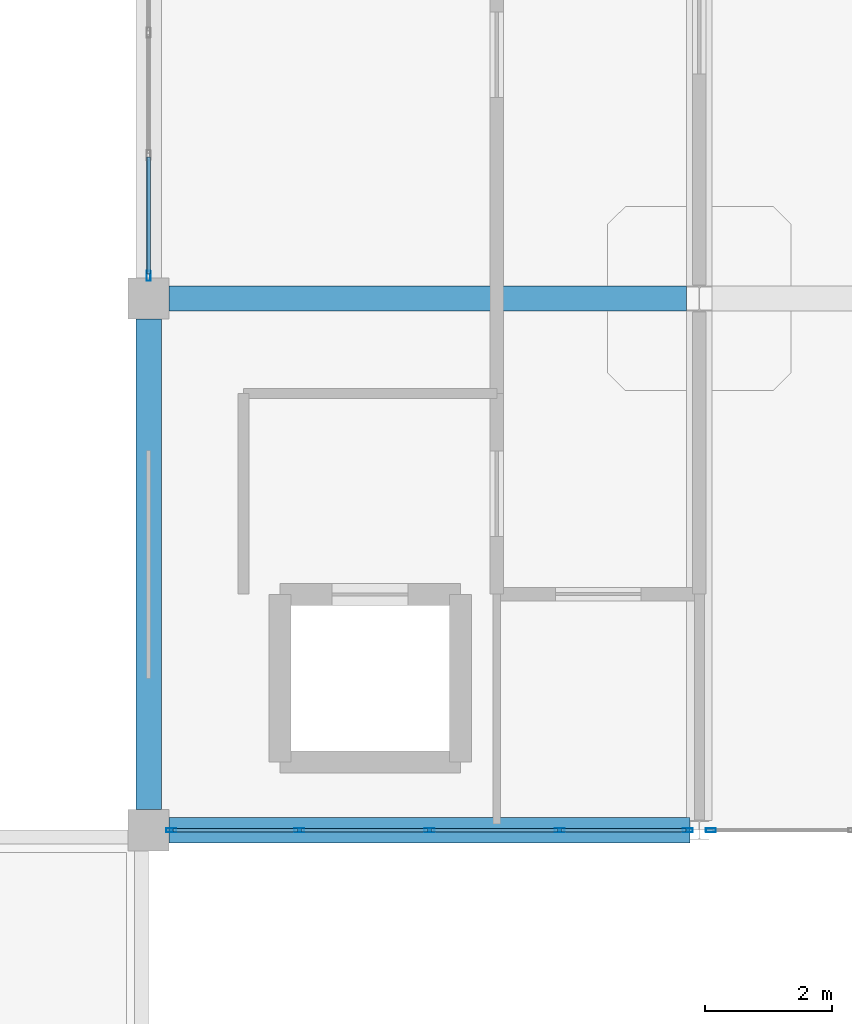
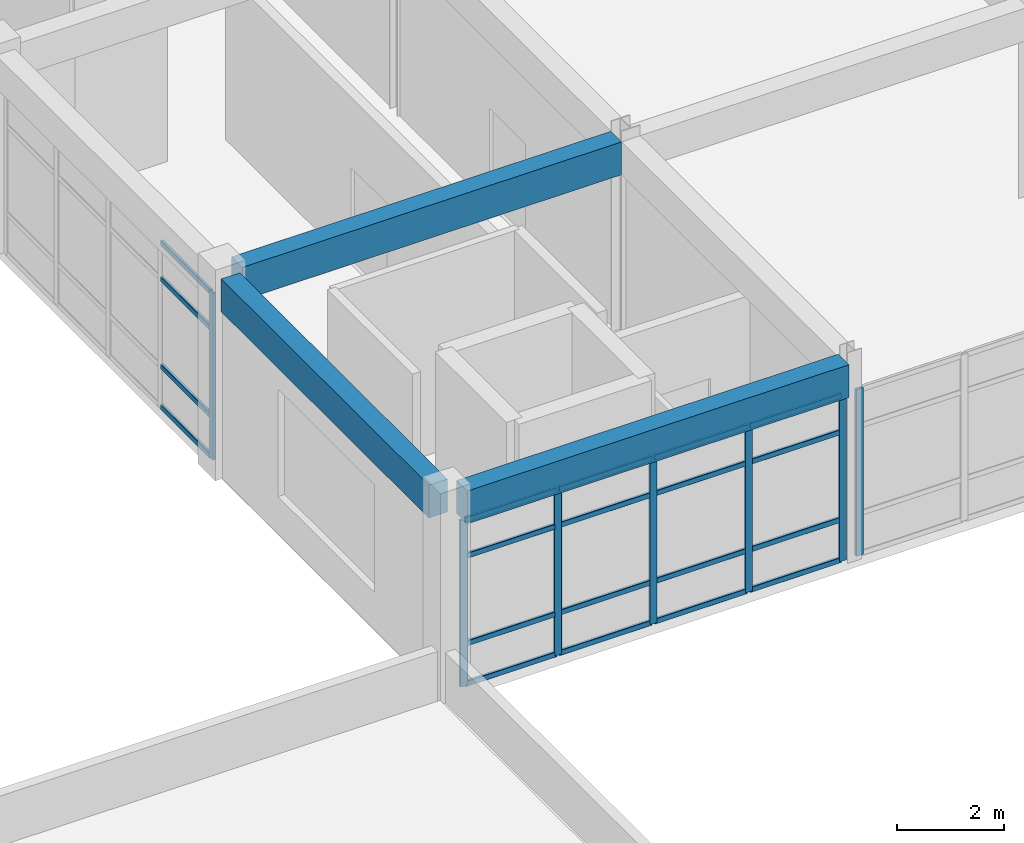
# One storey, part 22 of 41: 27 members, 3 beams, 3 elements without a shape of their own.
"""IFC4 building model written with IfcOpenShell, lengths in metres."""

from ifc_helpers import new_model, si_unit, derived_unit, direction, frame, origin, origin_2d, place, context, subcontext, project, spatial, rectangle, hollow_rectangle, extrude, material, layer, layer_set, material_profile, profile_set, type_object, element, aggregate, save


model = new_model("IFC4")

# Units and contexts
model_context = context("Model", 3, precision=1e-05, world=origin(), true_north=direction((0.0, 1.0)))
body_context = subcontext(model_context, "Body", "Model", "MODEL_VIEW")
ifc_project = project(units=[si_unit("LENGTHUNIT", "METRE"), si_unit("AREAUNIT", "SQUARE_METRE"), si_unit("VOLUMEUNIT", "CUBIC_METRE"), si_unit("PLANEANGLEUNIT", "RADIAN"), si_unit("MASSUNIT", "GRAM", prefix="KILO"), derived_unit("THERMALTRANSMITTANCEUNIT", [(si_unit("MASSUNIT", "GRAM", prefix="KILO"), 1), (si_unit("TIMEUNIT", "SECOND"), -3), (si_unit("THERMODYNAMICTEMPERATUREUNIT", "KELVIN"), -1)])], contexts=[model_context])

# Site, building, storey
site_placement = place(None, origin())
site = spatial("IfcSite", under=ifc_project, at=site_placement, CompositionType="ELEMENT")
building_placement = place(site_placement, origin())
building = spatial("IfcBuilding", under=site, at=building_placement, Name="Qinzheling Arcade Emporium", CompositionType="ELEMENT")
storey_placement = place(building_placement, frame((0.0, 0.0, 36.300048828125)))
storey = spatial("IfcBuildingStorey", under=building, at=storey_placement, Name="L08", CompositionType="ELEMENT", Elevation=36.300048828125)

# Curtain wall, member
ifc_material_1 = material(Name="Anodised aluminium and solar-control double glazing", Category="aluminium")
ifc_layer = layer(ifc_material_1, 0.159912109375, Name="Anodised aluminium and solar-control double glazing", Category="aluminium")
ifc_layer_set = layer_set([ifc_layer], Name="Anodised aluminium and solar-control double glazing")
curtain_wall_type = type_object("IfcCurtainWallType", Name="Arcade Portal Glazed Curtain Wall", PredefinedType="NOTDEFINED", material=ifc_layer_set)
curtain_wall_1_placement = place(storey_placement, origin())
curtain_wall_1 = element("IfcCurtainWall", 1, at=curtain_wall_1_placement, inside=storey, type_object=curtain_wall_type, Name="Curtain Wall CW-L08-444", PredefinedType="NOTDEFINED")
ifc_material_2 = material(Name="Anodised aluminium 6063-T6", Category="aluminium")
ifc_material_profile_1 = material_profile(ifc_material_2, hollow_rectangle(XDim=0.06005859375, YDim=0.159912109375, WallThickness=0.00390625, InnerFilletRadius=0.00390625, OuterFilletRadius=0.008056640625, at=origin_2d()), Name="RHS 160x60x4", Category="aluminium")
ifc_profile_set_1 = profile_set([ifc_material_profile_1], Name="Anodised aluminium 6063-T6")
member_type_1 = type_object("IfcMemberType", Name="Curtain Wall Mullion RHS160x60", PredefinedType="MULLION", material=ifc_profile_set_1)
member_1_placement = place(storey_placement, frame((113.281982421875, 73.800048828125, 0.0), z_axis=(0.0, 0.0, 1.0), x_axis=(0.0, -1.0, 0.0)))
member_1 = element("IfcMember", 2, at=member_1_placement, type_object=member_type_1, Name="CW05 mullion 4", PredefinedType="MULLION", context=body_context, shape_type="SweptSolid", body=[
    extrude(hollow_rectangle(XDim=0.06005859375, YDim=0.159912109375, WallThickness=0.00390625, InnerFilletRadius=0.00390625, OuterFilletRadius=0.008056640625, at=origin_2d()), origin(), (0.0, 0.0, 1.0), 3.794921875),
])
aggregate(curtain_wall_1, [member_1])

# Curtain wall, members
curtain_wall_2_placement = place(storey_placement, origin())
curtain_wall_2 = element("IfcCurtainWall", 3, at=curtain_wall_2_placement, inside=storey, type_object=curtain_wall_type, Name="Curtain Wall CW-L08-445", PredefinedType="NOTDEFINED")
member_2_placement = place(storey_placement, frame((112.91796875, 73.800048828125, 0.0), z_axis=(0.0, 0.0, 1.0), x_axis=(0.0, -1.0, 0.0)))
member_2 = element("IfcMember", 4, at=member_2_placement, type_object=member_type_1, Name="CW05 mullion 1", PredefinedType="MULLION", context=body_context, shape_type="SweptSolid", body=[
    extrude(hollow_rectangle(XDim=0.06005859375, YDim=0.159912109375, WallThickness=0.00390625, InnerFilletRadius=0.00390625, OuterFilletRadius=0.008056640625, at=origin_2d()), origin(), (0.0, 0.0, 1.0), 3.794921875),
])
member_3_placement = place(storey_placement, frame((110.892822265625, 73.800048828125, 0.0), z_axis=(0.0, 0.0, 1.0), x_axis=(0.0, -1.0, 0.0)))
member_3 = element("IfcMember", 5, at=member_3_placement, type_object=member_type_1, Name="CW05 mullion 2", PredefinedType="MULLION", context=body_context, shape_type="SweptSolid", body=[
    extrude(hollow_rectangle(XDim=0.06005859375, YDim=0.159912109375, WallThickness=0.00390625, InnerFilletRadius=0.00390625, OuterFilletRadius=0.008056640625, at=origin_2d()), origin(), (0.0, 0.0, 1.0), 3.794921875),
])
member_4_placement = place(storey_placement, frame((108.83740234375, 73.800048828125, 0.0), z_axis=(0.0, 0.0, 1.0), x_axis=(0.0, -1.0, 0.0)))
member_4 = element("IfcMember", 6, at=member_4_placement, type_object=member_type_1, Name="CW05 mullion 3", PredefinedType="MULLION", context=body_context, shape_type="SweptSolid", body=[
    extrude(hollow_rectangle(XDim=0.06005859375, YDim=0.159912109375, WallThickness=0.00390625, InnerFilletRadius=0.00390625, OuterFilletRadius=0.008056640625, at=origin_2d()), origin(), (0.0, 0.0, 1.0), 3.794921875),
])
member_5_placement = place(storey_placement, frame((106.7822265625, 73.800048828125, 0.0), z_axis=(0.0, 0.0, 1.0), x_axis=(0.0, -1.0, 0.0)))
member_5 = element("IfcMember", 7, at=member_5_placement, type_object=member_type_1, Name="CW05 mullion 4", PredefinedType="MULLION", context=body_context, shape_type="SweptSolid", body=[
    extrude(hollow_rectangle(XDim=0.06005859375, YDim=0.159912109375, WallThickness=0.00390625, InnerFilletRadius=0.00390625, OuterFilletRadius=0.008056640625, at=origin_2d()), origin(), (0.0, 0.0, 1.0), 3.794921875),
])
member_6_placement = place(storey_placement, frame((104.757080078125, 73.800048828125, 0.0), z_axis=(0.0, 0.0, 1.0), x_axis=(0.0, -1.0, 0.0)))
member_6 = element("IfcMember", 8, at=member_6_placement, type_object=member_type_1, Name="CW05 mullion 5", PredefinedType="MULLION", context=body_context, shape_type="SweptSolid", body=[
    extrude(hollow_rectangle(XDim=0.06005859375, YDim=0.159912109375, WallThickness=0.00390625, InnerFilletRadius=0.00390625, OuterFilletRadius=0.008056640625, at=origin_2d()), origin(), (0.0, 0.0, 1.0), 3.794921875),
])

# Curtain wall, member
curtain_wall_3_placement = place(storey_placement, origin())
curtain_wall_3 = element("IfcCurtainWall", 9, at=curtain_wall_3_placement, inside=storey, type_object=curtain_wall_type, Name="Curtain Wall CW-L08-446", PredefinedType="NOTDEFINED")
member_7_placement = place(storey_placement, frame((104.39990234375, 82.556884765625, 0.0), z_axis=(0.0, 0.0, 1.0), x_axis=(-1.0, 0.0, 0.0)))
member_7 = element("IfcMember", 10, at=member_7_placement, type_object=member_type_1, Name="CW05 mullion 1", PredefinedType="MULLION", context=body_context, shape_type="SweptSolid", body=[
    extrude(hollow_rectangle(XDim=0.06005859375, YDim=0.159912109375, WallThickness=0.00390625, InnerFilletRadius=0.00390625, OuterFilletRadius=0.008056640625, at=origin_2d()), origin(), (0.0, 0.0, 1.0), 3.794921875),
])

# Member
ifc_material_profile_2 = material_profile(ifc_material_2, hollow_rectangle(XDim=0.06005859375, YDim=0.1201171875, WallThickness=0.00390625, InnerFilletRadius=0.00390625, OuterFilletRadius=0.008056640625, at=origin_2d()), Name="RHS 120x60x4", Category="aluminium")
ifc_profile_set_2 = profile_set([ifc_material_profile_2], Name="Anodised aluminium 6063-T6")
member_type_2 = type_object("IfcMemberType", Name="Curtain Wall Transom RHS120x60", PredefinedType="USERDEFINED", material=ifc_profile_set_2)
member_8_placement = place(storey_placement, frame((112.887939453125, 73.800048828125, 0.030029296875), z_axis=(-1.0, 0.0, 0.0), x_axis=(0.0, -1.0, 0.0)))
member_8 = element("IfcMember", 11, at=member_8_placement, type_object=member_type_2, Name="CW05 transom 1.1", ObjectType="TRANSOM", PredefinedType="USERDEFINED", context=body_context, shape_type="SweptSolid", body=[
    extrude(hollow_rectangle(XDim=0.06005859375, YDim=0.1201171875, WallThickness=0.00390625, InnerFilletRadius=0.00390625, OuterFilletRadius=0.008056640625, at=origin_2d()), origin(), (0.0, 0.0, 1.0), 1.965087890625),
])

member_9_placement = place(storey_placement, frame((112.887939453125, 73.800048828125, 0.949951171875), z_axis=(-1.0, 0.0, 0.0), x_axis=(0.0, -1.0, 0.0)))
member_9 = element("IfcMember", 12, at=member_9_placement, type_object=member_type_2, Name="CW05 transom 1.2", ObjectType="TRANSOM", PredefinedType="USERDEFINED", context=body_context, shape_type="SweptSolid", body=[
    extrude(hollow_rectangle(XDim=0.06005859375, YDim=0.1201171875, WallThickness=0.00390625, InnerFilletRadius=0.00390625, OuterFilletRadius=0.008056640625, at=origin_2d()), origin(), (0.0, 0.0, 1.0), 1.965087890625),
])

member_10_placement = place(storey_placement, frame((112.887939453125, 73.800048828125, 2.945068359375), z_axis=(-1.0, 0.0, 0.0), x_axis=(0.0, -1.0, 0.0)))
member_10 = element("IfcMember", 13, at=member_10_placement, type_object=member_type_2, Name="CW05 transom 1.3", ObjectType="TRANSOM", PredefinedType="USERDEFINED", context=body_context, shape_type="SweptSolid", body=[
    extrude(hollow_rectangle(XDim=0.06005859375, YDim=0.1201171875, WallThickness=0.00390625, InnerFilletRadius=0.00390625, OuterFilletRadius=0.008056640625, at=origin_2d()), origin(), (0.0, 0.0, 1.0), 1.965087890625),
])

member_11_placement = place(storey_placement, frame((112.887939453125, 73.800048828125, 3.764892578125), z_axis=(-1.0, 0.0, 0.0), x_axis=(0.0, -1.0, 0.0)))
member_11 = element("IfcMember", 14, at=member_11_placement, type_object=member_type_2, Name="CW05 transom 1.4", ObjectType="TRANSOM", PredefinedType="USERDEFINED", context=body_context, shape_type="SweptSolid", body=[
    extrude(hollow_rectangle(XDim=0.06005859375, YDim=0.1201171875, WallThickness=0.00390625, InnerFilletRadius=0.00390625, OuterFilletRadius=0.008056640625, at=origin_2d()), origin(), (0.0, 0.0, 1.0), 1.965087890625),
])

member_12_placement = place(storey_placement, frame((110.86279296875, 73.800048828125, 0.030029296875), z_axis=(-1.0, 0.0, 0.0), x_axis=(0.0, -1.0, 0.0)))
member_12 = element("IfcMember", 15, at=member_12_placement, type_object=member_type_2, Name="CW05 transom 2.1", ObjectType="TRANSOM", PredefinedType="USERDEFINED", context=body_context, shape_type="SweptSolid", body=[
    extrude(hollow_rectangle(XDim=0.06005859375, YDim=0.1201171875, WallThickness=0.00390625, InnerFilletRadius=0.00390625, OuterFilletRadius=0.008056640625, at=origin_2d()), origin(), (0.0, 0.0, 1.0), 1.995361328125),
])

member_13_placement = place(storey_placement, frame((110.86279296875, 73.800048828125, 0.949951171875), z_axis=(-1.0, 0.0, 0.0), x_axis=(0.0, -1.0, 0.0)))
member_13 = element("IfcMember", 16, at=member_13_placement, type_object=member_type_2, Name="CW05 transom 2.2", ObjectType="TRANSOM", PredefinedType="USERDEFINED", context=body_context, shape_type="SweptSolid", body=[
    extrude(hollow_rectangle(XDim=0.06005859375, YDim=0.1201171875, WallThickness=0.00390625, InnerFilletRadius=0.00390625, OuterFilletRadius=0.008056640625, at=origin_2d()), origin(), (0.0, 0.0, 1.0), 1.995361328125),
])

member_14_placement = place(storey_placement, frame((110.86279296875, 73.800048828125, 2.945068359375), z_axis=(-1.0, 0.0, 0.0), x_axis=(0.0, -1.0, 0.0)))
member_14 = element("IfcMember", 17, at=member_14_placement, type_object=member_type_2, Name="CW05 transom 2.3", ObjectType="TRANSOM", PredefinedType="USERDEFINED", context=body_context, shape_type="SweptSolid", body=[
    extrude(hollow_rectangle(XDim=0.06005859375, YDim=0.1201171875, WallThickness=0.00390625, InnerFilletRadius=0.00390625, OuterFilletRadius=0.008056640625, at=origin_2d()), origin(), (0.0, 0.0, 1.0), 1.995361328125),
])

member_15_placement = place(storey_placement, frame((110.86279296875, 73.800048828125, 3.764892578125), z_axis=(-1.0, 0.0, 0.0), x_axis=(0.0, -1.0, 0.0)))
member_15 = element("IfcMember", 18, at=member_15_placement, type_object=member_type_2, Name="CW05 transom 2.4", ObjectType="TRANSOM", PredefinedType="USERDEFINED", context=body_context, shape_type="SweptSolid", body=[
    extrude(hollow_rectangle(XDim=0.06005859375, YDim=0.1201171875, WallThickness=0.00390625, InnerFilletRadius=0.00390625, OuterFilletRadius=0.008056640625, at=origin_2d()), origin(), (0.0, 0.0, 1.0), 1.995361328125),
])

member_16_placement = place(storey_placement, frame((108.8076171875, 73.800048828125, 0.030029296875), z_axis=(-1.0, 0.0, 0.0), x_axis=(0.0, -1.0, 0.0)))
member_16 = element("IfcMember", 19, at=member_16_placement, type_object=member_type_2, Name="CW05 transom 3.1", ObjectType="TRANSOM", PredefinedType="USERDEFINED", context=body_context, shape_type="SweptSolid", body=[
    extrude(hollow_rectangle(XDim=0.06005859375, YDim=0.1201171875, WallThickness=0.00390625, InnerFilletRadius=0.00390625, OuterFilletRadius=0.008056640625, at=origin_2d()), origin(), (0.0, 0.0, 1.0), 1.995361328125),
])

member_17_placement = place(storey_placement, frame((108.8076171875, 73.800048828125, 0.949951171875), z_axis=(-1.0, 0.0, 0.0), x_axis=(0.0, -1.0, 0.0)))
member_17 = element("IfcMember", 20, at=member_17_placement, type_object=member_type_2, Name="CW05 transom 3.2", ObjectType="TRANSOM", PredefinedType="USERDEFINED", context=body_context, shape_type="SweptSolid", body=[
    extrude(hollow_rectangle(XDim=0.06005859375, YDim=0.1201171875, WallThickness=0.00390625, InnerFilletRadius=0.00390625, OuterFilletRadius=0.008056640625, at=origin_2d()), origin(), (0.0, 0.0, 1.0), 1.995361328125),
])

member_18_placement = place(storey_placement, frame((108.8076171875, 73.800048828125, 2.945068359375), z_axis=(-1.0, 0.0, 0.0), x_axis=(0.0, -1.0, 0.0)))
member_18 = element("IfcMember", 21, at=member_18_placement, type_object=member_type_2, Name="CW05 transom 3.3", ObjectType="TRANSOM", PredefinedType="USERDEFINED", context=body_context, shape_type="SweptSolid", body=[
    extrude(hollow_rectangle(XDim=0.06005859375, YDim=0.1201171875, WallThickness=0.00390625, InnerFilletRadius=0.00390625, OuterFilletRadius=0.008056640625, at=origin_2d()), origin(), (0.0, 0.0, 1.0), 1.995361328125),
])

member_19_placement = place(storey_placement, frame((108.8076171875, 73.800048828125, 3.764892578125), z_axis=(-1.0, 0.0, 0.0), x_axis=(0.0, -1.0, 0.0)))
member_19 = element("IfcMember", 22, at=member_19_placement, type_object=member_type_2, Name="CW05 transom 3.4", ObjectType="TRANSOM", PredefinedType="USERDEFINED", context=body_context, shape_type="SweptSolid", body=[
    extrude(hollow_rectangle(XDim=0.06005859375, YDim=0.1201171875, WallThickness=0.00390625, InnerFilletRadius=0.00390625, OuterFilletRadius=0.008056640625, at=origin_2d()), origin(), (0.0, 0.0, 1.0), 1.995361328125),
])

member_20_placement = place(storey_placement, frame((106.752197265625, 73.800048828125, 0.030029296875), z_axis=(-1.0, 0.0, 0.0), x_axis=(0.0, -1.0, 0.0)))
member_20 = element("IfcMember", 23, at=member_20_placement, type_object=member_type_2, Name="CW05 transom 4.1", ObjectType="TRANSOM", PredefinedType="USERDEFINED", context=body_context, shape_type="SweptSolid", body=[
    extrude(hollow_rectangle(XDim=0.06005859375, YDim=0.1201171875, WallThickness=0.00390625, InnerFilletRadius=0.00390625, OuterFilletRadius=0.008056640625, at=origin_2d()), origin(), (0.0, 0.0, 1.0), 1.965087890625),
])

member_21_placement = place(storey_placement, frame((106.752197265625, 73.800048828125, 0.949951171875), z_axis=(-1.0, 0.0, 0.0), x_axis=(0.0, -1.0, 0.0)))
member_21 = element("IfcMember", 24, at=member_21_placement, type_object=member_type_2, Name="CW05 transom 4.2", ObjectType="TRANSOM", PredefinedType="USERDEFINED", context=body_context, shape_type="SweptSolid", body=[
    extrude(hollow_rectangle(XDim=0.06005859375, YDim=0.1201171875, WallThickness=0.00390625, InnerFilletRadius=0.00390625, OuterFilletRadius=0.008056640625, at=origin_2d()), origin(), (0.0, 0.0, 1.0), 1.965087890625),
])

member_22_placement = place(storey_placement, frame((106.752197265625, 73.800048828125, 2.945068359375), z_axis=(-1.0, 0.0, 0.0), x_axis=(0.0, -1.0, 0.0)))
member_22 = element("IfcMember", 25, at=member_22_placement, type_object=member_type_2, Name="CW05 transom 4.3", ObjectType="TRANSOM", PredefinedType="USERDEFINED", context=body_context, shape_type="SweptSolid", body=[
    extrude(hollow_rectangle(XDim=0.06005859375, YDim=0.1201171875, WallThickness=0.00390625, InnerFilletRadius=0.00390625, OuterFilletRadius=0.008056640625, at=origin_2d()), origin(), (0.0, 0.0, 1.0), 1.965087890625),
])

member_23_placement = place(storey_placement, frame((106.752197265625, 73.800048828125, 3.764892578125), z_axis=(-1.0, 0.0, 0.0), x_axis=(0.0, -1.0, 0.0)))
member_23 = element("IfcMember", 26, at=member_23_placement, type_object=member_type_2, Name="CW05 transom 4.4", ObjectType="TRANSOM", PredefinedType="USERDEFINED", context=body_context, shape_type="SweptSolid", body=[
    extrude(hollow_rectangle(XDim=0.06005859375, YDim=0.1201171875, WallThickness=0.00390625, InnerFilletRadius=0.00390625, OuterFilletRadius=0.008056640625, at=origin_2d()), origin(), (0.0, 0.0, 1.0), 1.965087890625),
])

aggregate(curtain_wall_2, [member_2, member_3, member_4, member_5, member_6, member_8, member_9, member_10, member_11, member_12, member_13, member_14, member_15, member_16, member_17, member_18, member_19, member_20, member_21, member_22, member_23])

member_24_placement = place(storey_placement, frame((104.39990234375, 82.5869140625, 0.030029296875), z_axis=(0.0, 1.0, 0.0), x_axis=(-1.0, 0.0, 0.0)))
member_24 = element("IfcMember", 27, at=member_24_placement, type_object=member_type_2, Name="CW05 transom 1.1", ObjectType="TRANSOM", PredefinedType="USERDEFINED", context=body_context, shape_type="SweptSolid", body=[
    extrude(hollow_rectangle(XDim=0.06005859375, YDim=0.1201171875, WallThickness=0.00390625, InnerFilletRadius=0.00390625, OuterFilletRadius=0.008056640625, at=origin_2d()), origin(), (0.0, 0.0, 1.0), 1.8466796875),
])

member_25_placement = place(storey_placement, frame((104.39990234375, 82.5869140625, 0.949951171875), z_axis=(0.0, 1.0, 0.0), x_axis=(-1.0, 0.0, 0.0)))
member_25 = element("IfcMember", 28, at=member_25_placement, type_object=member_type_2, Name="CW05 transom 1.2", ObjectType="TRANSOM", PredefinedType="USERDEFINED", context=body_context, shape_type="SweptSolid", body=[
    extrude(hollow_rectangle(XDim=0.06005859375, YDim=0.1201171875, WallThickness=0.00390625, InnerFilletRadius=0.00390625, OuterFilletRadius=0.008056640625, at=origin_2d()), origin(), (0.0, 0.0, 1.0), 1.8466796875),
])

member_26_placement = place(storey_placement, frame((104.39990234375, 82.5869140625, 2.945068359375), z_axis=(0.0, 1.0, 0.0), x_axis=(-1.0, 0.0, 0.0)))
member_26 = element("IfcMember", 29, at=member_26_placement, type_object=member_type_2, Name="CW05 transom 1.3", ObjectType="TRANSOM", PredefinedType="USERDEFINED", context=body_context, shape_type="SweptSolid", body=[
    extrude(hollow_rectangle(XDim=0.06005859375, YDim=0.1201171875, WallThickness=0.00390625, InnerFilletRadius=0.00390625, OuterFilletRadius=0.008056640625, at=origin_2d()), origin(), (0.0, 0.0, 1.0), 1.8466796875),
])

member_27_placement = place(storey_placement, frame((104.39990234375, 82.5869140625, 3.764892578125), z_axis=(0.0, 1.0, 0.0), x_axis=(-1.0, 0.0, 0.0)))
member_27 = element("IfcMember", 30, at=member_27_placement, type_object=member_type_2, Name="CW05 transom 1.4", ObjectType="TRANSOM", PredefinedType="USERDEFINED", context=body_context, shape_type="SweptSolid", body=[
    extrude(hollow_rectangle(XDim=0.06005859375, YDim=0.1201171875, WallThickness=0.00390625, InnerFilletRadius=0.00390625, OuterFilletRadius=0.008056640625, at=origin_2d()), origin(), (0.0, 0.0, 1.0), 1.8466796875),
])

aggregate(curtain_wall_3, [member_7, member_24, member_25, member_26, member_27])

# Beams
ifc_material_3 = material(Name="Concrete C40", Category="concrete")
ifc_material_profile_3 = material_profile(ifc_material_3, rectangle(XDim=0.39990234375, YDim=0.75, at=origin_2d()), Name="RC 400x750", Category="concrete")
ifc_profile_set_3 = profile_set([ifc_material_profile_3], Name="Concrete C40")
beam_type = type_object("IfcBeamType", Name="RC Interior Tie Beam 400x750 C40", PredefinedType="BEAM", material=ifc_profile_set_3)
beam_1_placement = place(storey_placement, frame((104.72509765625, 73.800048828125, 4.18505859375), z_axis=(1.0, 0.0, 0.0), x_axis=(0.0, 1.0, 0.0)))
element("IfcBeam", 31, at=beam_1_placement, inside=storey, type_object=beam_type, Name="Beam BM-L08-X-J-13", PredefinedType="BEAM", context=body_context, shape_type="SweptSolid", body=[
    extrude(rectangle(XDim=0.39990234375, YDim=0.75, at=origin_2d()), origin(), (0.0, 0.0, 1.0), 8.224853515625),
])
beam_2_placement = place(storey_placement, frame((104.72509765625, 82.199951171875, 4.18505859375), z_axis=(1.0, 0.0, 0.0), x_axis=(0.0, 1.0, 0.0)))
element("IfcBeam", 32, at=beam_2_placement, inside=storey, type_object=beam_type, Name="Beam BM-L08-X-K-13", PredefinedType="BEAM", context=body_context, shape_type="SweptSolid", body=[
    extrude(rectangle(XDim=0.39990234375, YDim=0.75, at=origin_2d()), origin(), (0.0, 0.0, 1.0), 8.1748046875),
])
beam_3_placement = place(storey_placement, frame((104.39990234375, 74.125, 4.18505859375), z_axis=(0.0, 1.0, 0.0), x_axis=(-1.0, 0.0, 0.0)))
element("IfcBeam", 33, at=beam_3_placement, inside=storey, type_object=beam_type, Name="Beam BM-L08-Y-13-J", PredefinedType="BEAM", context=body_context, shape_type="SweptSolid", body=[
    extrude(rectangle(XDim=0.39990234375, YDim=0.75, at=origin_2d()), origin(), (0.0, 0.0, 1.0), 7.75),
])

save(model, "model.ifc")
